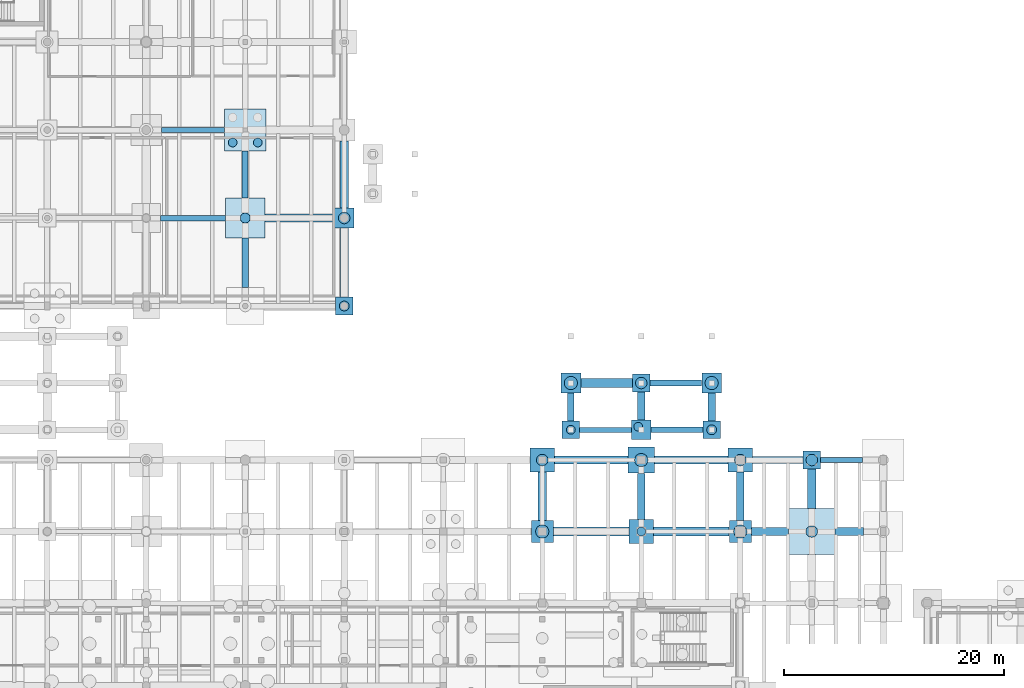
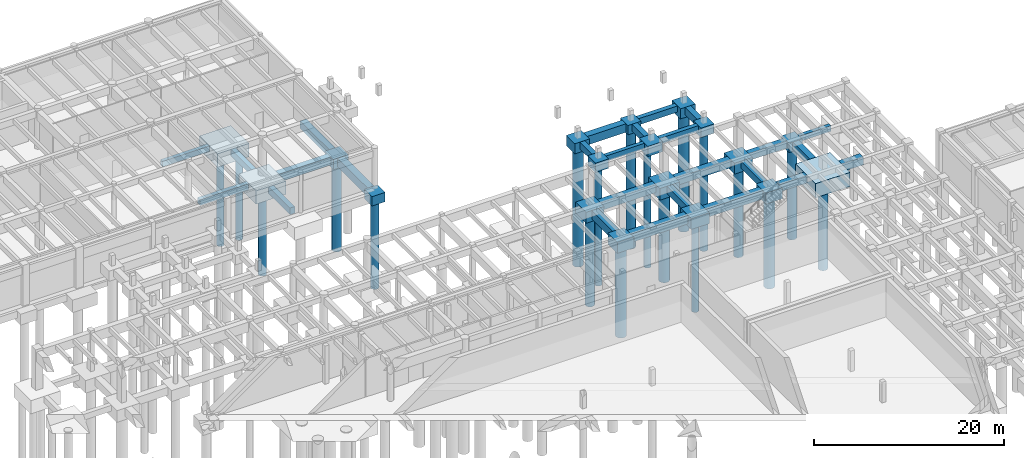
# One storey, part 11 of 36: 44 footings, 19 piles.
"""IFC4 building model written with IfcOpenShell, lengths in metres."""

import ifcopenshell
import ifcopenshell.guid

model = None  # the IFC model being written
_history = None  # IfcOwnerHistory: only IFC2X3 demands one
_inside = {}  # id of a spatial element -> (the spatial element, [elements in it])
_under = {}  # id of a project, library or spatial element -> (it, [spatial elements below it])
_declared = {}  # id of a project -> (the project, [libraries it declares])
_typed = {}  # id of a type object -> (the type object, [elements of that type])
_made_of = {}  # id of a material, layer set ... -> (it, [elements and type objects made of it])


def new_model(schema):
    """Start an empty IFC model of exactly this schema.

    Asked for "IFC4X3", IfcOpenShell would pick the latest addendum, in which some entities
    have other attributes; the version numbers below select the first issue.
    IFC2X3 requires an IfcOwnerHistory on every rooted entity: one is made here for all.
    """
    global model, _history
    if schema == "IFC4X3":
        model = ifcopenshell.file(schema_version=(4, 3, 0, 0))
    else:
        model = ifcopenshell.file(schema=schema)
    _inside.clear()
    _under.clear()
    _declared.clear()
    _typed.clear()
    _made_of.clear()
    _history = None
    if model.schema == "IFC2X3":
        org = make("IfcOrganization", Name="unknown")
        user = make(
            "IfcPersonAndOrganization",
            ThePerson=make("IfcPerson", FamilyName="unknown"),
            TheOrganization=org,
        )
        app = make(
            "IfcApplication",
            ApplicationDeveloper=org,
            Version="unknown",
            ApplicationFullName="unknown",
            ApplicationIdentifier="unknown",
        )
        _history = make(
            "IfcOwnerHistory",
            OwningUser=user,
            OwningApplication=app,
            ChangeAction="ADDED",
            CreationDate=0,
        )
    return model


def make(cls, **values):
    """One entity of the class cls with the attributes given. An attribute that is None is left unset."""
    return model.create_entity(
        cls, **{name: value for name, value in values.items() if value is not None}
    )


def rooted(cls, **values):
    """An entity with a GlobalId (a new one), such as an element, a storey or a relation."""
    return make(cls, GlobalId=ifcopenshell.guid.new(), OwnerHistory=_history, **values)


def si_unit(unit_type, name, prefix=None):
    """IfcSIUnit, for example si_unit("LENGTHUNIT", "METRE", prefix="MILLI")."""
    return make("IfcSIUnit", UnitType=unit_type, Prefix=prefix, Name=name)


def assignment(units):
    """IfcUnitAssignment: the units of a project."""
    return None if units is None else make("IfcUnitAssignment", Units=units)


def point(xyz):
    """IfcCartesianPoint."""
    return None if xyz is None else make("IfcCartesianPoint", Coordinates=xyz)


def direction(xyz):
    """IfcDirection."""
    return None if xyz is None else make("IfcDirection", DirectionRatios=xyz)


def frame(location, z_axis=None, x_axis=None):
    """IfcAxis2Placement3D, a coordinate frame: its origin and axes. An axis left out is left unset."""
    return make(
        "IfcAxis2Placement3D",
        Location=point(location),
        Axis=direction(z_axis),
        RefDirection=direction(x_axis),
    )


def frame_2d(location, x_axis=None):
    """IfcAxis2Placement2D, a coordinate frame in the plane: its origin and x axis."""
    return make(
        "IfcAxis2Placement2D", Location=point(location), RefDirection=direction(x_axis)
    )


def origin():
    """The frame at (0, 0, 0) with its axes left unset."""
    return frame((0.0, 0.0, 0.0))


def origin_2d():
    """The frame at (0, 0) in the plane with its x axis left unset."""
    return frame_2d((0.0, 0.0))


def place(relative_to, where):
    """IfcLocalPlacement: puts the frame where relative to a parent placement (None: the world)."""
    return make(
        "IfcLocalPlacement", PlacementRelTo=relative_to, RelativePlacement=where
    )


def context(
    kind, dimensions, precision=None, world=None, true_north=None, identifier=None
):
    """IfcGeometricRepresentationContext, for example the 3D "Model" context."""
    return make(
        "IfcGeometricRepresentationContext",
        ContextIdentifier=identifier,
        ContextType=kind,
        CoordinateSpaceDimension=dimensions,
        Precision=precision,
        WorldCoordinateSystem=world,
        TrueNorth=true_north,
    )


def subcontext(parent, identifier, kind, view, scale=None):
    """IfcGeometricRepresentationSubContext, for example "Body" below "Model"."""
    return make(
        "IfcGeometricRepresentationSubContext",
        ContextIdentifier=identifier,
        ContextType=kind,
        ParentContext=parent,
        TargetScale=scale,
        TargetView=view,
    )


def project(units=None, contexts=None):
    """IfcProject with its units and contexts."""
    return rooted(
        "IfcProject",
        Name="project",
        RepresentationContexts=contexts,
        UnitsInContext=assignment(units),
    )


def spatial(cls, under=None, at=None, **own):
    """A site, building, storey or space (cls), placed at a placement, below another one or the project."""
    s = rooted(cls, ObjectPlacement=at, **own)
    if under is not None:
        _under.setdefault(under.id(), (under, []))[1].append(s)
    return s


def polyline(points):
    """IfcPolyline through the points."""
    return make("IfcPolyline", Points=[point(p) for p in points])


def profile(cls, at=None, kind="AREA", **sizes):
    """A parametric profile (cls). Its sizes go by their IFC names, for example OverallWidth=200.0."""
    return make(cls, ProfileType=kind, Position=at, **sizes)


def circle(**sizes):
    """IfcCircleProfileDef."""
    return profile("IfcCircleProfileDef", **sizes)


def outline(outer, holes=None, kind="AREA"):
    """IfcArbitraryClosedProfileDef: a profile drawn as a closed curve; with holes, ...WithVoids."""
    if holes is None:
        return make("IfcArbitraryClosedProfileDef", ProfileType=kind, OuterCurve=outer)
    return make(
        "IfcArbitraryProfileDefWithVoids",
        ProfileType=kind,
        OuterCurve=outer,
        InnerCurves=holes,
    )


def extrude(swept, where, along, depth):
    """IfcExtrudedAreaSolid: the profile swept, set in the frame where, extruded along a direction by depth."""
    return make(
        "IfcExtrudedAreaSolid",
        SweptArea=swept,
        Position=where,
        ExtrudedDirection=direction(along),
        Depth=depth,
    )


def shape(context_of_items, identifier, shape_type, items):
    """IfcShapeRepresentation: the items that make up one representation, for example the "Body"."""
    return make(
        "IfcShapeRepresentation",
        ContextOfItems=context_of_items,
        RepresentationIdentifier=identifier,
        RepresentationType=shape_type,
        Items=items,
    )


def material(Name=None, Category=None):
    """IfcMaterial."""
    return make("IfcMaterial", Name=Name, Category=Category)


def material_profile(
    of_material, cross_section, Name=None, Category=None, Priority=None
):
    """IfcMaterialProfile: a cross section and its material."""
    return make(
        "IfcMaterialProfile",
        Name=Name,
        Material=of_material,
        Profile=cross_section,
        Priority=Priority,
        Category=Category,
    )


def profile_set(profiles, Name=None, composite=None):
    """IfcMaterialProfileSet."""
    return make(
        "IfcMaterialProfileSet",
        Name=Name,
        MaterialProfiles=profiles,
        CompositeProfile=composite,
    )


def made_of(thing, what):
    """Note that an element or type object is made of a material, layer set ...; save() writes the relation."""
    if what is not None:
        _made_of.setdefault(what.id(), (what, []))[1].append(thing)
    return thing


def type_object(cls, material=None, **own):
    """A type object (cls), such as IfcWallType, which elements share."""
    return made_of(rooted(cls, **own), material)


def element(
    cls,
    number,
    at=None,
    inside=None,
    cuts=None,
    type_object=None,
    material=None,
    context=None,
    identifier="Body",
    shape_type=None,
    held_by="IfcProductDefinitionShape",
    body=None,
    shapes=None,
    **own,
):
    """One element of the class cls, such as IfcWall. Its Tag is "e" and its number.

    at: its placement. inside: the storey or other place that contains it. cuts: it is an
    opening in that element (IfcRelVoidsElement). A single representation is given by context,
    identifier, shape_type and body (its items); several are given by shapes. held_by: the class
    of the entity that holds the representations. save() writes the other relations.
    """
    e = rooted(cls, Tag="e%d" % number, ObjectPlacement=at, **own)
    if body is not None:
        shapes = [shape(context, identifier, shape_type, body)]
    if shapes is not None:
        e.Representation = make(held_by, Representations=shapes)
    if inside is not None:
        _inside.setdefault(inside.id(), (inside, []))[1].append(e)
    if cuts is not None:
        rooted(
            "IfcRelVoidsElement", RelatingBuildingElement=cuts, RelatedOpeningElement=e
        )
    if type_object is not None:
        _typed.setdefault(type_object.id(), (type_object, []))[1].append(e)
    return made_of(e, material)


def aggregate(whole, parts):
    """IfcRelAggregates: a whole, such as a stair, and the parts it consists of."""
    return rooted("IfcRelAggregates", RelatingObject=whole, RelatedObjects=parts)


def save(model, path):
    """Write the relations noted so far, then the file.

    IfcRelAggregates (storeys below a building ...), IfcRelContainedInSpatialStructure (elements
    in a storey), IfcRelDefinesByType, IfcRelAssociatesMaterial and IfcRelDeclares: one each for
    every whole, place, type object, material and project.
    """
    for whole, parts in _under.values():
        aggregate(whole, parts)
    for where, things in _inside.values():
        rooted(
            "IfcRelContainedInSpatialStructure",
            RelatedElements=things,
            RelatingStructure=where,
        )
    for kind, things in _typed.values():
        rooted("IfcRelDefinesByType", RelatedObjects=things, RelatingType=kind)
    for what, things in _made_of.values():
        rooted("IfcRelAssociatesMaterial", RelatedObjects=things, RelatingMaterial=what)
    for by, libraries in _declared.values():
        rooted("IfcRelDeclares", RelatingContext=by, RelatedDefinitions=libraries)
    model.write(path)


model = new_model("IFC4")

# Units and contexts
model_context = context("Model", 3, precision=1e-05, world=origin(), true_north=direction((0.0, 1.0)))
body_context = subcontext(model_context, "Body", "Model", "MODEL_VIEW")
ifc_project = project(units=[si_unit("LENGTHUNIT", "METRE"), si_unit("AREAUNIT", "SQUARE_METRE"), si_unit("VOLUMEUNIT", "CUBIC_METRE"), si_unit("PLANEANGLEUNIT", "RADIAN"), si_unit("MASSUNIT", "GRAM", prefix="KILO"), si_unit("THERMODYNAMICTEMPERATUREUNIT", "KELVIN"), si_unit("POWERUNIT", "WATT")], contexts=[model_context])

# Site, building, storey
site_placement = place(None, origin())
site = spatial("IfcSite", under=ifc_project, at=site_placement, CompositionType="ELEMENT")
building_placement = place(site_placement, origin())
building = spatial("IfcBuilding", under=site, at=building_placement, Name="Tepalcoro Natatorium and Aquatics Centre", CompositionType="ELEMENT")
storey_placement = place(building_placement, frame((0.0, 0.0, -5.199951171875)))
storey = spatial("IfcBuildingStorey", under=building, at=storey_placement, Name="B1", CompositionType="ELEMENT", Elevation=-5.199951171875)

# Footings
ifc_material = material(Name="Concrete C40/50 (fc 40 MPa)", Category="concrete")
footing_type_1 = type_object("IfcFootingType", Name="FB_450x700", PredefinedType="FOOTING_BEAM", material=ifc_material)
footing_1_placement = place(storey_placement, frame((0.0, 0.0, -0.699951171875)))
element("IfcFooting", 1, at=footing_1_placement, inside=storey, type_object=footing_type_1, Name="V1 B1 Foundation Tie Beam X", PredefinedType="FOOTING_BEAM", context=body_context, shape_type="SweptSolid", body=[
    extrude(outline(polyline([(132.304931640625, 71.77490234375), (136.094970703125, 71.77490234375), (136.094970703125, 72.22509765625), (132.304931640625, 72.22509765625), (132.304931640625, 71.77490234375)])), origin(), (0.0, 0.0, 1.0), 0.699951171875),
])
footing_2_placement = place(storey_placement, frame((0.0, 0.0, -1.16015625)))
element("IfcFooting", 2, at=footing_2_placement, inside=storey, type_object=footing_type_1, Name="V4 B1 Foundation Tie Beam X", PredefinedType="FOOTING_BEAM", context=body_context, shape_type="SweptSolid", body=[
    extrude(outline(polyline([(72.405029296875, 101.77490234375), (78.094970703125, 101.77490234375), (78.094970703125, 102.22509765625), (72.405029296875, 102.22509765625), (72.405029296875, 101.77490234375)])), origin(), (0.0, 0.0, 1.0), 0.7001953125),
])
footing_3_placement = place(storey_placement, frame((0.0, 0.0, 2.75)))
element("IfcFooting", 3, at=footing_3_placement, inside=storey, type_object=footing_type_1, Name="V6NE B1 Foundation Tie Beam X", PredefinedType="FOOTING_BEAM", context=body_context, shape_type="SweptSolid", body=[
    extrude(outline(polyline([(110.405029296875, 74.52490234375), (115.094970703125, 74.52490234375), (115.094970703125, 74.97509765625), (110.405029296875, 74.97509765625), (110.405029296875, 74.52490234375)])), origin(), (0.0, 0.0, 1.0), 0.699951171875),
])
footing_type_2 = type_object("IfcFootingType", Name="FB_500x750", PredefinedType="FOOTING_BEAM", material=ifc_material)
footing_4_placement = place(storey_placement, frame((0.0, 0.0, -1.2099609375)))
element("IfcFooting", 4, at=footing_4_placement, inside=storey, type_object=footing_type_2, Name="V4 B1 Foundation Tie Beam X", PredefinedType="FOOTING_BEAM", context=body_context, shape_type="SweptSolid", body=[
    extrude(outline(polyline([(72.304931640625, 93.75), (78.195068359375, 93.75), (78.195068359375, 94.25), (72.304931640625, 94.25), (72.304931640625, 93.75)])), origin(), (0.0, 0.0, 1.0), 0.75),
])
footing_5_placement = place(storey_placement, frame((0.0, 0.0, 2.699951171875)))
element("IfcFooting", 5, at=footing_5_placement, inside=storey, type_object=footing_type_2, Name="V6NE B1 Foundation Tie Beam X", PredefinedType="FOOTING_BEAM", context=body_context, shape_type="SweptSolid", body=[
    extrude(outline(polyline([(116.905029296875, 74.5), (121.594970703125, 74.5), (121.594970703125, 75.0), (116.905029296875, 75.0), (116.905029296875, 74.5)])), origin(), (0.0, 0.0, 1.0), 0.75),
])
footing_type_3 = type_object("IfcFootingType", Name="FB_550x800", PredefinedType="FOOTING_BEAM", material=ifc_material)
footing_6_placement = place(storey_placement, frame((0.0, 0.0, -1.260009765625)))
element("IfcFooting", 6, at=footing_6_placement, inside=storey, type_object=footing_type_3, Name="V4 B1 Foundation Tie Beam Y", PredefinedType="FOOTING_BEAM", context=body_context, shape_type="SweptSolid", body=[
    extrude(outline(polyline([(80.27490234375, 95.804931640625), (80.27490234375, 100.094970703125), (79.72509765625, 100.094970703125), (79.72509765625, 95.804931640625), (80.27490234375, 95.804931640625)])), origin(), (0.0, 0.0, 1.0), 0.800048828125),
])
footing_7_placement = place(storey_placement, frame((0.0, 0.0, 2.64990234375)))
element("IfcFooting", 7, at=footing_7_placement, inside=storey, type_object=footing_type_3, Name="V6NE B1 Foundation Tie Beam X", PredefinedType="FOOTING_BEAM", context=body_context, shape_type="SweptSolid", body=[
    extrude(outline(polyline([(116.804931640625, 78.72509765625), (121.4951171875, 78.72509765625), (121.4951171875, 79.27490234375), (116.804931640625, 79.27490234375), (116.804931640625, 78.72509765625)])), origin(), (0.0, 0.0, 1.0), 0.800048828125),
])
footing_type_4 = type_object("IfcFootingType", Name="FB_600x850", PredefinedType="FOOTING_BEAM", material=ifc_material)
footing_8_placement = place(storey_placement, frame((0.0, 0.0, -1.31005859375)))
element("IfcFooting", 8, at=footing_8_placement, inside=storey, type_object=footing_type_4, Name="V4 B1 Foundation Tie Beam Y", PredefinedType="FOOTING_BEAM", context=body_context, shape_type="SweptSolid", body=[
    extrude(outline(polyline([(80.300048828125, 87.705078125), (80.300048828125, 92.195068359375), (79.699951171875, 92.195068359375), (79.699951171875, 87.705078125), (80.300048828125, 87.705078125)])), origin(), (0.0, 0.0, 1.0), 0.85009765625),
])
footing_9_placement = place(storey_placement, frame((0.0, 0.0, 2.599853515625)))
element("IfcFooting", 9, at=footing_9_placement, inside=storey, type_object=footing_type_4, Name="V6NE B1 Foundation Tie Beam Y", PredefinedType="FOOTING_BEAM", context=body_context, shape_type="SweptSolid", body=[
    extrude(outline(polyline([(109.89990234375, 75.554931640625), (109.89990234375, 78.094970703125), (109.300048828125, 78.094970703125), (109.300048828125, 75.554931640625), (109.89990234375, 75.554931640625)])), origin(), (0.0, 0.0, 1.0), 0.85009765625),
])
footing_type_5 = type_object("IfcFootingType", Name="FB_650x900", PredefinedType="FOOTING_BEAM", material=ifc_material)
footing_10_placement = place(storey_placement, frame((0.0, 0.0, -0.900146484375)))
element("IfcFooting", 10, at=footing_10_placement, inside=storey, type_object=footing_type_5, Name="V1 B1 Foundation Tie Beam X", PredefinedType="FOOTING_BEAM", context=body_context, shape_type="SweptSolid", body=[
    extrude(outline(polyline([(126.10498046875, 71.675048828125), (130.695068359375, 71.675048828125), (130.695068359375, 72.324951171875), (126.10498046875, 72.324951171875), (126.10498046875, 71.675048828125)])), origin(), (0.0, 0.0, 1.0), 0.900146484375),
])
footing_11_placement = place(storey_placement, frame((0.0, 0.0, -0.900146484375)))
element("IfcFooting", 11, at=footing_11_placement, inside=storey, type_object=footing_type_5, Name="V1 B1 Foundation Tie Beam Y", PredefinedType="FOOTING_BEAM", context=body_context, shape_type="SweptSolid", body=[
    extrude(outline(polyline([(125.324951171875, 66.5048828125), (125.324951171875, 70.89501953125), (124.675048828125, 70.89501953125), (124.675048828125, 66.5048828125), (125.324951171875, 66.5048828125)])), origin(), (0.0, 0.0, 1.0), 0.900146484375),
])
footing_12_placement = place(storey_placement, frame((0.0, 0.0, 2.550048828125)))
element("IfcFooting", 12, at=footing_12_placement, inside=storey, type_object=footing_type_5, Name="V6NE B1 Foundation Tie Beam Y", PredefinedType="FOOTING_BEAM", context=body_context, shape_type="SweptSolid", body=[
    extrude(outline(polyline([(116.324951171875, 75.655029296875), (116.324951171875, 78.195068359375), (115.675048828125, 78.195068359375), (115.675048828125, 75.655029296875), (116.324951171875, 75.655029296875)])), origin(), (0.0, 0.0, 1.0), 0.89990234375),
])
footing_type_6 = type_object("IfcFootingType", Name="FB_700x950", PredefinedType="FOOTING_BEAM", material=ifc_material)
footing_13_placement = place(storey_placement, frame((0.0, 0.0, -0.949951171875)))
element("IfcFooting", 13, at=footing_13_placement, inside=storey, type_object=footing_type_6, Name="V1 B1 Foundation Tie Beam X", PredefinedType="FOOTING_BEAM", context=body_context, shape_type="SweptSolid", body=[
    extrude(outline(polyline([(126.0048828125, 65.14990234375), (129.39501953125, 65.14990234375), (129.39501953125, 65.85009765625), (126.0048828125, 65.85009765625), (126.0048828125, 65.14990234375)])), origin(), (0.0, 0.0, 1.0), 0.949951171875),
])
footing_14_placement = place(storey_placement, frame((0.0, 0.0, -0.949951171875)))
element("IfcFooting", 14, at=footing_14_placement, inside=storey, type_object=footing_type_6, Name="V1 B1 Foundation Tie Beam Y", PredefinedType="FOOTING_BEAM", context=body_context, shape_type="SweptSolid", body=[
    extrude(outline(polyline([(116.35009765625, 66.60498046875), (116.35009765625, 70.794921875), (115.64990234375, 70.794921875), (115.64990234375, 66.60498046875), (116.35009765625, 66.60498046875)])), origin(), (0.0, 0.0, 1.0), 0.949951171875),
])
footing_15_placement = place(storey_placement, frame((0.0, 0.0, 2.5)))
element("IfcFooting", 15, at=footing_15_placement, inside=storey, type_object=footing_type_6, Name="V6NE B1 Foundation Tie Beam Y", PredefinedType="FOOTING_BEAM", context=body_context, shape_type="SweptSolid", body=[
    extrude(outline(polyline([(122.75, 75.554931640625), (122.75, 78.094970703125), (122.050048828125, 78.094970703125), (122.050048828125, 75.554931640625), (122.75, 75.554931640625)])), origin(), (0.0, 0.0, 1.0), 0.949951171875),
])
footing_type_7 = type_object("IfcFootingType", Name="FB_750x1000", PredefinedType="FOOTING_BEAM", material=ifc_material)
footing_16_placement = place(storey_placement, frame((0.0, 0.0, -1.0)))
element("IfcFooting", 16, at=footing_16_placement, inside=storey, type_object=footing_type_7, Name="V1 B1 Foundation Tie Beam X", PredefinedType="FOOTING_BEAM", context=body_context, shape_type="SweptSolid", body=[
    extrude(outline(polyline([(108.10498046875, 71.625), (114.794921875, 71.625), (114.794921875, 72.375), (108.10498046875, 72.375), (108.10498046875, 71.625)])), origin(), (0.0, 0.0, 1.0), 1.0),
])
footing_17_placement = place(storey_placement, frame((0.0, 0.0, -1.0)))
element("IfcFooting", 17, at=footing_17_placement, inside=storey, type_object=footing_type_7, Name="V1 B1 Foundation Tie Beam X", PredefinedType="FOOTING_BEAM", context=body_context, shape_type="SweptSolid", body=[
    extrude(outline(polyline([(117.205078125, 71.625), (123.89501953125, 71.625), (123.89501953125, 72.375), (117.205078125, 72.375), (117.205078125, 71.625)])), origin(), (0.0, 0.0, 1.0), 1.0),
])
footing_18_placement = place(storey_placement, frame((0.0, 0.0, -1.0)))
element("IfcFooting", 18, at=footing_18_placement, inside=storey, type_object=footing_type_7, Name="V1 B1 Foundation Tie Beam X", PredefinedType="FOOTING_BEAM", context=body_context, shape_type="SweptSolid", body=[
    extrude(outline(polyline([(133.60498046875, 65.125), (136.195068359375, 65.125), (136.195068359375, 65.875), (133.60498046875, 65.875), (133.60498046875, 65.125)])), origin(), (0.0, 0.0, 1.0), 1.0),
])
footing_19_placement = place(storey_placement, frame((0.0, 0.0, -1.0)))
element("IfcFooting", 19, at=footing_19_placement, inside=storey, type_object=footing_type_7, Name="V1 B1 Foundation Tie Beam Y", PredefinedType="FOOTING_BEAM", context=body_context, shape_type="SweptSolid", body=[
    extrude(outline(polyline([(131.875, 67.60498046875), (131.875, 71.195068359375), (131.125, 71.195068359375), (131.125, 67.60498046875), (131.875, 67.60498046875)])), origin(), (0.0, 0.0, 1.0), 1.0),
])
footing_20_placement = place(storey_placement, frame((0.0, 0.0, -1.4599609375)))
element("IfcFooting", 20, at=footing_20_placement, inside=storey, type_object=footing_type_7, Name="V4 B1 Foundation Tie Beam X", PredefinedType="FOOTING_BEAM", context=body_context, shape_type="SweptSolid", body=[
    extrude(outline(polyline([(81.804931640625, 93.625), (88.094970703125, 93.625), (88.094970703125, 94.375), (81.804931640625, 94.375), (81.804931640625, 93.625)])), origin(), (0.0, 0.0, 1.0), 1.0),
])
footing_21_placement = place(storey_placement, frame((0.0, 0.0, -1.4599609375)))
element("IfcFooting", 21, at=footing_21_placement, inside=storey, type_object=footing_type_7, Name="V4 B1 Foundation Tie Beam Y", PredefinedType="FOOTING_BEAM", context=body_context, shape_type="SweptSolid", body=[
    extrude(outline(polyline([(89.375, 94.905029296875), (89.375, 100.9951171875), (88.625, 100.9951171875), (88.625, 94.905029296875), (89.375, 94.905029296875)])), origin(), (0.0, 0.0, 1.0), 1.0),
])
footing_type_8 = type_object("IfcFootingType", Name="FB_800x1100", PredefinedType="FOOTING_BEAM", material=ifc_material)
footing_22_placement = place(storey_placement, frame((0.0, 0.0, -1.10009765625)))
element("IfcFooting", 22, at=footing_22_placement, inside=storey, type_object=footing_type_8, Name="V1 B1 Foundation Tie Beam X", PredefinedType="FOOTING_BEAM", context=body_context, shape_type="SweptSolid", body=[
    extrude(outline(polyline([(108.0048828125, 65.10009765625), (114.89501953125, 65.10009765625), (114.89501953125, 65.89990234375), (108.0048828125, 65.89990234375), (108.0048828125, 65.10009765625)])), origin(), (0.0, 0.0, 1.0), 1.10009765625),
])
footing_23_placement = place(storey_placement, frame((0.0, 0.0, -1.10009765625)))
element("IfcFooting", 23, at=footing_23_placement, inside=storey, type_object=footing_type_8, Name="V1 B1 Foundation Tie Beam X", PredefinedType="FOOTING_BEAM", context=body_context, shape_type="SweptSolid", body=[
    extrude(outline(polyline([(117.10498046875, 65.10009765625), (123.9951171875, 65.10009765625), (123.9951171875, 65.89990234375), (117.10498046875, 65.89990234375), (117.10498046875, 65.10009765625)])), origin(), (0.0, 0.0, 1.0), 1.10009765625),
])
footing_24_placement = place(storey_placement, frame((0.0, 0.0, -1.10009765625)))
element("IfcFooting", 24, at=footing_24_placement, inside=storey, type_object=footing_type_8, Name="V1 B1 Foundation Tie Beam Y", PredefinedType="FOOTING_BEAM", context=body_context, shape_type="SweptSolid", body=[
    extrude(outline(polyline([(107.39990234375, 66.5048828125), (107.39990234375, 70.89501953125), (106.60009765625, 70.89501953125), (106.60009765625, 66.5048828125), (107.39990234375, 66.5048828125)])), origin(), (0.0, 0.0, 1.0), 1.10009765625),
])
footing_25_placement = place(storey_placement, frame((0.0, 0.0, -1.56005859375)))
element("IfcFooting", 25, at=footing_25_placement, inside=storey, type_object=footing_type_8, Name="V4 B1 Foundation Tie Beam Y", PredefinedType="FOOTING_BEAM", context=body_context, shape_type="SweptSolid", body=[
    extrude(outline(polyline([(89.39990234375, 86.804931640625), (89.39990234375, 93.094970703125), (88.60009765625, 93.094970703125), (88.60009765625, 86.804931640625), (89.39990234375, 86.804931640625)])), origin(), (0.0, 0.0, 1.0), 1.10009765625),
])
footing_26_placement = place(storey_placement, frame((0.0, 0.0, 2.349853515625)))
element("IfcFooting", 26, at=footing_26_placement, inside=storey, type_object=footing_type_8, Name="V6NE B1 Foundation Tie Beam X", PredefinedType="FOOTING_BEAM", context=body_context, shape_type="SweptSolid", body=[
    extrude(outline(polyline([(110.5048828125, 78.60009765625), (115.195068359375, 78.60009765625), (115.195068359375, 79.39990234375), (110.5048828125, 79.39990234375), (110.5048828125, 78.60009765625)])), origin(), (0.0, 0.0, 1.0), 1.10009765625),
])
footing_type_9 = type_object("IfcFootingType", Name="PC_1600x1600x1200", PredefinedType="PILE_CAP", material=ifc_material)
footing_27_placement = place(storey_placement, frame((0.0, 0.0, -1.199951171875)))
element("IfcFooting", 27, at=footing_27_placement, inside=storey, type_object=footing_type_9, Name="V1 Reinforced Concrete Pile Cap 117", PredefinedType="PILE_CAP", context=body_context, shape_type="SweptSolid", body=[
    extrude(outline(polyline([(130.699951171875, 71.199951171875), (132.300048828125, 71.199951171875), (132.300048828125, 72.800048828125), (130.699951171875, 72.800048828125), (130.699951171875, 71.199951171875)])), origin(), (0.0, 0.0, 1.0), 1.199951171875),
])
footing_28_placement = place(storey_placement, frame((0.0, 0.0, -1.66015625)))
element("IfcFooting", 28, at=footing_28_placement, inside=storey, type_object=footing_type_9, Name="V4 Reinforced Concrete Pile Cap 224", PredefinedType="PILE_CAP", context=body_context, shape_type="SweptSolid", body=[
    extrude(outline(polyline([(88.199951171875, 85.199951171875), (89.800048828125, 85.199951171875), (89.800048828125, 86.800048828125), (88.199951171875, 86.800048828125), (88.199951171875, 85.199951171875)])), origin(), (0.0, 0.0, 1.0), 1.2001953125),
])
footing_29_placement = place(storey_placement, frame((0.0, 0.0, 2.25)))
element("IfcFooting", 29, at=footing_29_placement, inside=storey, type_object=footing_type_9, Name="V6NE Reinforced Concrete Pile Cap 325", PredefinedType="PILE_CAP", context=body_context, shape_type="SweptSolid", body=[
    extrude(outline(polyline([(108.800048828125, 73.949951171875), (110.39990234375, 73.949951171875), (110.39990234375, 75.550048828125), (108.800048828125, 75.550048828125), (108.800048828125, 73.949951171875)])), origin(), (0.0, 0.0, 1.0), 1.199951171875),
])
footing_30_placement = place(storey_placement, frame((0.0, 0.0, 2.25)))
element("IfcFooting", 30, at=footing_30_placement, inside=storey, type_object=footing_type_9, Name="V6NE Reinforced Concrete Pile Cap 327", PredefinedType="PILE_CAP", context=body_context, shape_type="SweptSolid", body=[
    extrude(outline(polyline([(115.199951171875, 78.199951171875), (116.800048828125, 78.199951171875), (116.800048828125, 79.800048828125), (115.199951171875, 79.800048828125), (115.199951171875, 78.199951171875)])), origin(), (0.0, 0.0, 1.0), 1.199951171875),
])
footing_31_placement = place(storey_placement, frame((0.0, 0.0, 2.25)))
element("IfcFooting", 31, at=footing_31_placement, inside=storey, type_object=footing_type_9, Name="V6NE Reinforced Concrete Pile Cap 329", PredefinedType="PILE_CAP", context=body_context, shape_type="SweptSolid", body=[
    extrude(outline(polyline([(121.60009765625, 73.949951171875), (123.199951171875, 73.949951171875), (123.199951171875, 75.550048828125), (121.60009765625, 75.550048828125), (121.60009765625, 73.949951171875)])), origin(), (0.0, 0.0, 1.0), 1.199951171875),
])
footing_type_10 = type_object("IfcFootingType", Name="PC_1800x1800x1300", PredefinedType="PILE_CAP", material=ifc_material)
footing_32_placement = place(storey_placement, frame((0.0, 0.0, -1.760009765625)))
element("IfcFooting", 32, at=footing_32_placement, inside=storey, type_object=footing_type_10, Name="V4 Reinforced Concrete Pile Cap 223", PredefinedType="PILE_CAP", context=body_context, shape_type="SweptSolid", body=[
    extrude(outline(polyline([(88.10009765625, 93.10009765625), (89.89990234375, 93.10009765625), (89.89990234375, 94.89990234375), (88.10009765625, 94.89990234375), (88.10009765625, 93.10009765625)])), origin(), (0.0, 0.0, 1.0), 1.300048828125),
])
footing_33_placement = place(storey_placement, frame((0.0, 0.0, 2.14990234375)))
element("IfcFooting", 33, at=footing_33_placement, inside=storey, type_object=footing_type_10, Name="V6NE Reinforced Concrete Pile Cap 324", PredefinedType="PILE_CAP", context=body_context, shape_type="SweptSolid", body=[
    extrude(outline(polyline([(108.699951171875, 78.10009765625), (110.5, 78.10009765625), (110.5, 79.89990234375), (108.699951171875, 79.89990234375), (108.699951171875, 78.10009765625)])), origin(), (0.0, 0.0, 1.0), 1.300048828125),
])
footing_34_placement = place(storey_placement, frame((0.0, 0.0, 2.14990234375)))
element("IfcFooting", 34, at=footing_34_placement, inside=storey, type_object=footing_type_10, Name="V6NE Reinforced Concrete Pile Cap 326", PredefinedType="PILE_CAP", context=body_context, shape_type="SweptSolid", body=[
    extrude(outline(polyline([(115.10009765625, 73.85009765625), (116.89990234375, 73.85009765625), (116.89990234375, 75.64990234375), (115.10009765625, 75.64990234375), (115.10009765625, 73.85009765625)])), origin(), (0.0, 0.0, 1.0), 1.300048828125),
])
footing_35_placement = place(storey_placement, frame((0.0, 0.0, 2.14990234375)))
element("IfcFooting", 35, at=footing_35_placement, inside=storey, type_object=footing_type_10, Name="V6NE Reinforced Concrete Pile Cap 328", PredefinedType="PILE_CAP", context=body_context, shape_type="SweptSolid", body=[
    extrude(outline(polyline([(121.5, 78.10009765625), (123.300048828125, 78.10009765625), (123.300048828125, 79.89990234375), (121.5, 79.89990234375), (121.5, 78.10009765625)])), origin(), (0.0, 0.0, 1.0), 1.300048828125),
])
footing_type_11 = type_object("IfcFootingType", Name="PC_2000x2000x1400", PredefinedType="PILE_CAP", material=ifc_material)
footing_36_placement = place(storey_placement, frame((0.0, 0.0, -1.400146484375)))
element("IfcFooting", 36, at=footing_36_placement, inside=storey, type_object=footing_type_11, Name="V1 Reinforced Concrete Pile Cap 84", PredefinedType="PILE_CAP", context=body_context, shape_type="SweptSolid", body=[
    extrude(outline(polyline([(106.0, 64.5), (108.0, 64.5), (108.0, 66.5), (106.0, 66.5), (106.0, 64.5)])), origin(), (0.0, 0.0, 1.0), 1.400146484375),
])
footing_37_placement = place(storey_placement, frame((0.0, 0.0, -1.400146484375)))
element("IfcFooting", 37, at=footing_37_placement, inside=storey, type_object=footing_type_11, Name="V1 Reinforced Concrete Pile Cap 104", PredefinedType="PILE_CAP", context=body_context, shape_type="SweptSolid", body=[
    extrude(outline(polyline([(124.0, 64.5), (126.0, 64.5), (126.0, 66.5), (124.0, 66.5), (124.0, 64.5)])), origin(), (0.0, 0.0, 1.0), 1.400146484375),
])
footing_type_12 = type_object("IfcFootingType", Name="PC_2200x2200x1400", PredefinedType="PILE_CAP", material=ifc_material)
footing_38_placement = place(storey_placement, frame((0.0, 0.0, -1.400146484375)))
element("IfcFooting", 38, at=footing_38_placement, inside=storey, type_object=footing_type_12, Name="V1 Reinforced Concrete Pile Cap 83", PredefinedType="PILE_CAP", context=body_context, shape_type="SweptSolid", body=[
    extrude(outline(polyline([(105.89990234375, 70.89990234375), (108.10009765625, 70.89990234375), (108.10009765625, 73.10009765625), (105.89990234375, 73.10009765625), (105.89990234375, 70.89990234375)])), origin(), (0.0, 0.0, 1.0), 1.400146484375),
])
footing_39_placement = place(storey_placement, frame((0.0, 0.0, -1.400146484375)))
element("IfcFooting", 39, at=footing_39_placement, inside=storey, type_object=footing_type_12, Name="V1 Reinforced Concrete Pile Cap 93", PredefinedType="PILE_CAP", context=body_context, shape_type="SweptSolid", body=[
    extrude(outline(polyline([(114.89990234375, 64.39990234375), (117.10009765625, 64.39990234375), (117.10009765625, 66.60009765625), (114.89990234375, 66.60009765625), (114.89990234375, 64.39990234375)])), origin(), (0.0, 0.0, 1.0), 1.400146484375),
])
footing_40_placement = place(storey_placement, frame((0.0, 0.0, -1.400146484375)))
element("IfcFooting", 40, at=footing_40_placement, inside=storey, type_object=footing_type_12, Name="V1 Reinforced Concrete Pile Cap 103", PredefinedType="PILE_CAP", context=body_context, shape_type="SweptSolid", body=[
    extrude(outline(polyline([(123.89990234375, 70.89990234375), (126.10009765625, 70.89990234375), (126.10009765625, 73.10009765625), (123.89990234375, 73.10009765625), (123.89990234375, 70.89990234375)])), origin(), (0.0, 0.0, 1.0), 1.400146484375),
])
footing_type_13 = type_object("IfcFootingType", Name="PC_2400x2400x1500", PredefinedType="PILE_CAP", material=ifc_material)
footing_41_placement = place(storey_placement, frame((0.0, 0.0, -1.5)))
element("IfcFooting", 41, at=footing_41_placement, inside=storey, type_object=footing_type_13, Name="V1 Reinforced Concrete Pile Cap 92", PredefinedType="PILE_CAP", context=body_context, shape_type="SweptSolid", body=[
    extrude(outline(polyline([(114.800048828125, 70.800048828125), (117.199951171875, 70.800048828125), (117.199951171875, 73.199951171875), (114.800048828125, 73.199951171875), (114.800048828125, 70.800048828125)])), origin(), (0.0, 0.0, 1.0), 1.5),
])
footing_type_14 = type_object("IfcFootingType", Name="PC_3600x3600x1700", PredefinedType="PILE_CAP", material=ifc_material)
footing_42_placement = place(storey_placement, frame((0.0, 0.0, -2.16015625)))
element("IfcFooting", 42, at=footing_42_placement, inside=storey, type_object=footing_type_14, Name="V4 Reinforced Concrete Pile Cap 218", PredefinedType="PILE_CAP", context=body_context, shape_type="SweptSolid", body=[
    extrude(outline(polyline([(78.199951171875, 92.199951171875), (81.800048828125, 92.199951171875), (81.800048828125, 95.800048828125), (78.199951171875, 95.800048828125), (78.199951171875, 92.199951171875)])), origin(), (0.0, 0.0, 1.0), 1.7001953125),
])
footing_type_15 = type_object("IfcFootingType", Name="PC_3800x3800x1700", PredefinedType="PILE_CAP", material=ifc_material)
footing_43_placement = place(storey_placement, frame((0.0, 0.0, -2.16015625)))
element("IfcFooting", 43, at=footing_43_placement, inside=storey, type_object=footing_type_15, Name="V4 Reinforced Concrete Pile Cap 217", PredefinedType="PILE_CAP", context=body_context, shape_type="SweptSolid", body=[
    extrude(outline(polyline([(78.10009765625, 100.10009765625), (81.89990234375, 100.10009765625), (81.89990234375, 103.89990234375), (78.10009765625, 103.89990234375), (78.10009765625, 100.10009765625)])), origin(), (0.0, 0.0, 1.0), 1.7001953125),
])
footing_type_16 = type_object("IfcFootingType", Name="PC_4200x4200x1800", PredefinedType="PILE_CAP", material=ifc_material)
footing_44_placement = place(storey_placement, frame((0.0, 0.0, -1.800048828125)))
element("IfcFooting", 44, at=footing_44_placement, inside=storey, type_object=footing_type_16, Name="V1 Reinforced Concrete Pile Cap 107", PredefinedType="PILE_CAP", context=body_context, shape_type="SweptSolid", body=[
    extrude(outline(polyline([(129.39990234375, 63.39990234375), (133.60009765625, 63.39990234375), (133.60009765625, 67.60009765625), (129.39990234375, 67.60009765625), (129.39990234375, 63.39990234375)])), origin(), (0.0, 0.0, 1.0), 1.800048828125),
])

# Piles
ifc_material_profile_1 = material_profile(ifc_material, circle(Radius=0.52490234375, at=origin_2d()), Name="PILE_D1050")
ifc_profile_set_1 = profile_set([ifc_material_profile_1], Name="Concrete C40/50 (fc 40 MPa)")
pile_type_1 = type_object("IfcPileType", Name="PILE_D1050", PredefinedType="BORED", material=ifc_profile_set_1)
for number, where, z_axis, x_axis, name in (
    (45, (107.0, 72.0, -1.300048828125), (0.0, 0.0, -1.0), (1.0, 0.0, 0.0), "Bored Pile PILE_D1050 under PC_V1_0082"),
    (46, (125.0, 72.0, -1.300048828125), (0.0, 0.0, -1.0), (1.0, 0.0, 0.0), "Bored Pile PILE_D1050 under PC_V1_0102"),
):
    element("IfcPile", number, at=place(storey_placement, frame(where, z_axis=z_axis, x_axis=x_axis)), inside=storey, type_object=pile_type_1, Name=name, PredefinedType="BORED", context=body_context, shape_type="SweptSolid", body=[
        extrude(circle(Radius=0.52490234375, at=origin_2d()), origin(), (0.0, 0.0, 1.0), 11.5),
    ])
pile_1_placement = place(storey_placement, frame((131.5, 65.5, -1.699951171875), z_axis=(0.0, 0.0, -1.0), x_axis=(1.0, 0.0, 0.0)))
element("IfcPile", 47, at=pile_1_placement, inside=storey, type_object=pile_type_1, Name="Bored Pile PILE_D1050 under PC_V1_0106", PredefinedType="BORED", context=body_context, shape_type="SweptSolid", body=[
    extrude(circle(Radius=0.52490234375, at=origin_2d()), origin(), (0.0, 0.0, 1.0), 11.10009765625),
])
pile_2_placement = place(storey_placement, frame((131.5, 72.0, -1.10009765625), z_axis=(0.0, 0.0, -1.0), x_axis=(1.0, 0.0, 0.0)))
element("IfcPile", 48, at=pile_2_placement, inside=storey, type_object=pile_type_1, Name="Bored Pile PILE_D1050 under PC_V1_0116", PredefinedType="BORED", context=body_context, shape_type="SweptSolid", body=[
    extrude(circle(Radius=0.52490234375, at=origin_2d()), origin(), (0.0, 0.0, 1.0), 11.699951171875),
])
pile_3_placement = place(storey_placement, frame((89.0, 94.0, -1.66015625), z_axis=(0.0, 0.0, -1.0), x_axis=(1.0, 0.0, 0.0)))
element("IfcPile", 49, at=pile_3_placement, inside=storey, type_object=pile_type_1, Name="Bored Pile PILE_D1050 under PC_V4_0222", PredefinedType="BORED", context=body_context, shape_type="SweptSolid", body=[
    extrude(circle(Radius=0.52490234375, at=origin_2d()), origin(), (0.0, 0.0, 1.0), 11.139892578125),
])
pile_4_placement = place(storey_placement, frame((116.0, 79.0, 2.349853515625), z_axis=(0.0, 0.0, -1.0), x_axis=(1.0, 0.0, 0.0)))
element("IfcPile", 50, at=pile_4_placement, inside=storey, type_object=pile_type_1, Name="Bored Pile PILE_D1050 under PC_V6NE_0326", PredefinedType="BORED", context=body_context, shape_type="SweptSolid", body=[
    extrude(circle(Radius=0.52490234375, at=origin_2d()), origin(), (0.0, 0.0, 1.0), 15.14990234375),
])
ifc_material_profile_2 = material_profile(ifc_material, circle(Radius=0.60009765625, at=origin_2d()), Name="PILE_D1200")
ifc_profile_set_2 = profile_set([ifc_material_profile_2], Name="Concrete C40/50 (fc 40 MPa)")
pile_type_2 = type_object("IfcPileType", Name="PILE_D1200", PredefinedType="BORED", material=ifc_profile_set_2)
pile_5_placement = place(storey_placement, frame((107.0, 65.5, -1.300048828125), z_axis=(0.0, 0.0, -1.0), x_axis=(1.0, 0.0, 0.0)))
element("IfcPile", 51, at=pile_5_placement, inside=storey, type_object=pile_type_2, Name="Bored Pile PILE_D1200 under PC_V1_0083", PredefinedType="BORED", context=body_context, shape_type="SweptSolid", body=[
    extrude(circle(Radius=0.60009765625, at=origin_2d()), origin(), (0.0, 0.0, 1.0), 11.5),
])
pile_6_placement = place(storey_placement, frame((116.0, 72.0, -1.400146484375), z_axis=(0.0, 0.0, -1.0), x_axis=(1.0, 0.0, 0.0)))
element("IfcPile", 52, at=pile_6_placement, inside=storey, type_object=pile_type_2, Name="Bored Pile PILE_D1200 under PC_V1_0091", PredefinedType="BORED", context=body_context, shape_type="SweptSolid", body=[
    extrude(circle(Radius=0.60009765625, at=origin_2d()), origin(), (0.0, 0.0, 1.0), 11.39990234375),
])
pile_7_placement = place(storey_placement, frame((125.0, 65.5, -1.300048828125), z_axis=(0.0, 0.0, -1.0), x_axis=(1.0, 0.0, 0.0)))
element("IfcPile", 53, at=pile_7_placement, inside=storey, type_object=pile_type_2, Name="Bored Pile PILE_D1200 under PC_V1_0103", PredefinedType="BORED", context=body_context, shape_type="SweptSolid", body=[
    extrude(circle(Radius=0.60009765625, at=origin_2d()), origin(), (0.0, 0.0, 1.0), 11.5),
])
for number, where, z_axis, x_axis, name in (
    (54, (109.60009765625, 79.0, 2.25), (0.0, 0.0, -1.0), (1.0, 0.0, 0.0), "Bored Pile PILE_D1200 under PC_V6NE_0323"),
    (55, (122.39990234375, 79.0, 2.25), (0.0, 0.0, -1.0), (1.0, 0.0, 0.0), "Bored Pile PILE_D1200 under PC_V6NE_0327"),
):
    element("IfcPile", number, at=place(storey_placement, frame(where, z_axis=z_axis, x_axis=x_axis)), inside=storey, type_object=pile_type_2, Name=name, PredefinedType="BORED", context=body_context, shape_type="SweptSolid", body=[
        extrude(circle(Radius=0.60009765625, at=origin_2d()), origin(), (0.0, 0.0, 1.0), 15.050048828125),
    ])
ifc_material_profile_3 = material_profile(ifc_material, circle(Radius=0.39990234375, at=origin_2d()), Name="PILE_D800")
ifc_profile_set_3 = profile_set([ifc_material_profile_3], Name="Concrete C40/50 (fc 40 MPa)")
pile_type_3 = type_object("IfcPileType", Name="PILE_D800", PredefinedType="BORED", material=ifc_profile_set_3)
pile_8_placement = place(storey_placement, frame((116.0, 65.5, -1.300048828125), z_axis=(0.0, 0.0, -1.0), x_axis=(1.0, 0.0, 0.0)))
element("IfcPile", 56, at=pile_8_placement, inside=storey, type_object=pile_type_3, Name="Bored Pile PILE_D800 under PC_V1_0092", PredefinedType="BORED", context=body_context, shape_type="SweptSolid", body=[
    extrude(circle(Radius=0.39990234375, at=origin_2d()), origin(), (0.0, 0.0, 1.0), 11.5),
])
for number, where, z_axis, x_axis, name in (
    (57, (78.860107421875, 100.860107421875, -2.06005859375), (0.0, 0.0, -1.0), (1.0, 0.0, 0.0), "Bored Pile PILE_D800 under PC_V4_0216"),
    (58, (81.139892578125, 100.860107421875, -2.06005859375), (0.0, 0.0, -1.0), (1.0, 0.0, 0.0), "Bored Pile PILE_D800 under PC_V4_0216"),
):
    element("IfcPile", number, at=place(storey_placement, frame(where, z_axis=z_axis, x_axis=x_axis)), inside=storey, type_object=pile_type_3, Name=name, PredefinedType="BORED", context=body_context, shape_type="SweptSolid", body=[
        extrude(circle(Radius=0.39990234375, at=origin_2d()), origin(), (0.0, 0.0, 1.0), 10.739990234375),
    ])
pile_9_placement = place(storey_placement, frame((109.60009765625, 74.75, 2.349853515625), z_axis=(0.0, 0.0, -1.0), x_axis=(1.0, 0.0, 0.0)))
element("IfcPile", 59, at=pile_9_placement, inside=storey, type_object=pile_type_3, Name="Bored Pile PILE_D800 under PC_V6NE_0324", PredefinedType="BORED", context=body_context, shape_type="SweptSolid", body=[
    extrude(circle(Radius=0.39990234375, at=origin_2d()), origin(), (0.0, 0.0, 1.0), 15.14990234375),
])
pile_10_placement = place(storey_placement, frame((115.719970703125, 75.030029296875, 2.25), z_axis=(0.0, 0.0, -1.0), x_axis=(1.0, 0.0, 0.0)))
element("IfcPile", 60, at=pile_10_placement, inside=storey, type_object=pile_type_3, Name="Bored Pile PILE_D800 under PC_V6NE_0325", PredefinedType="BORED", context=body_context, shape_type="SweptSolid", body=[
    extrude(circle(Radius=0.39990234375, at=origin_2d()), origin(), (0.0, 0.0, 1.0), 15.050048828125),
])
ifc_material_profile_4 = material_profile(ifc_material, circle(Radius=0.449951171875, at=origin_2d()), Name="PILE_D900")
ifc_profile_set_4 = profile_set([ifc_material_profile_4], Name="Concrete C40/50 (fc 40 MPa)")
pile_type_4 = type_object("IfcPileType", Name="PILE_D900", PredefinedType="BORED", material=ifc_profile_set_4)
pile_11_placement = place(storey_placement, frame((80.0, 94.0, -2.06005859375), z_axis=(0.0, 0.0, -1.0), x_axis=(1.0, 0.0, 0.0)))
element("IfcPile", 61, at=pile_11_placement, inside=storey, type_object=pile_type_4, Name="Bored Pile PILE_D900 under PC_V4_0217", PredefinedType="BORED", context=body_context, shape_type="SweptSolid", body=[
    extrude(circle(Radius=0.449951171875, at=origin_2d()), origin(), (0.0, 0.0, 1.0), 10.739990234375),
])
pile_12_placement = place(storey_placement, frame((89.0, 86.0, -1.56005859375), z_axis=(0.0, 0.0, -1.0), x_axis=(1.0, 0.0, 0.0)))
element("IfcPile", 62, at=pile_12_placement, inside=storey, type_object=pile_type_4, Name="Bored Pile PILE_D900 under PC_V4_0223", PredefinedType="BORED", context=body_context, shape_type="SweptSolid", body=[
    extrude(circle(Radius=0.449951171875, at=origin_2d()), origin(), (0.0, 0.0, 1.0), 11.239990234375),
])
pile_13_placement = place(storey_placement, frame((122.39990234375, 74.75, 2.349853515625), z_axis=(0.0, 0.0, -1.0), x_axis=(1.0, 0.0, 0.0)))
element("IfcPile", 63, at=pile_13_placement, inside=storey, type_object=pile_type_4, Name="Bored Pile PILE_D900 under PC_V6NE_0328", PredefinedType="BORED", context=body_context, shape_type="SweptSolid", body=[
    extrude(circle(Radius=0.449951171875, at=origin_2d()), origin(), (0.0, 0.0, 1.0), 15.14990234375),
])

save(model, "model.ifc")
